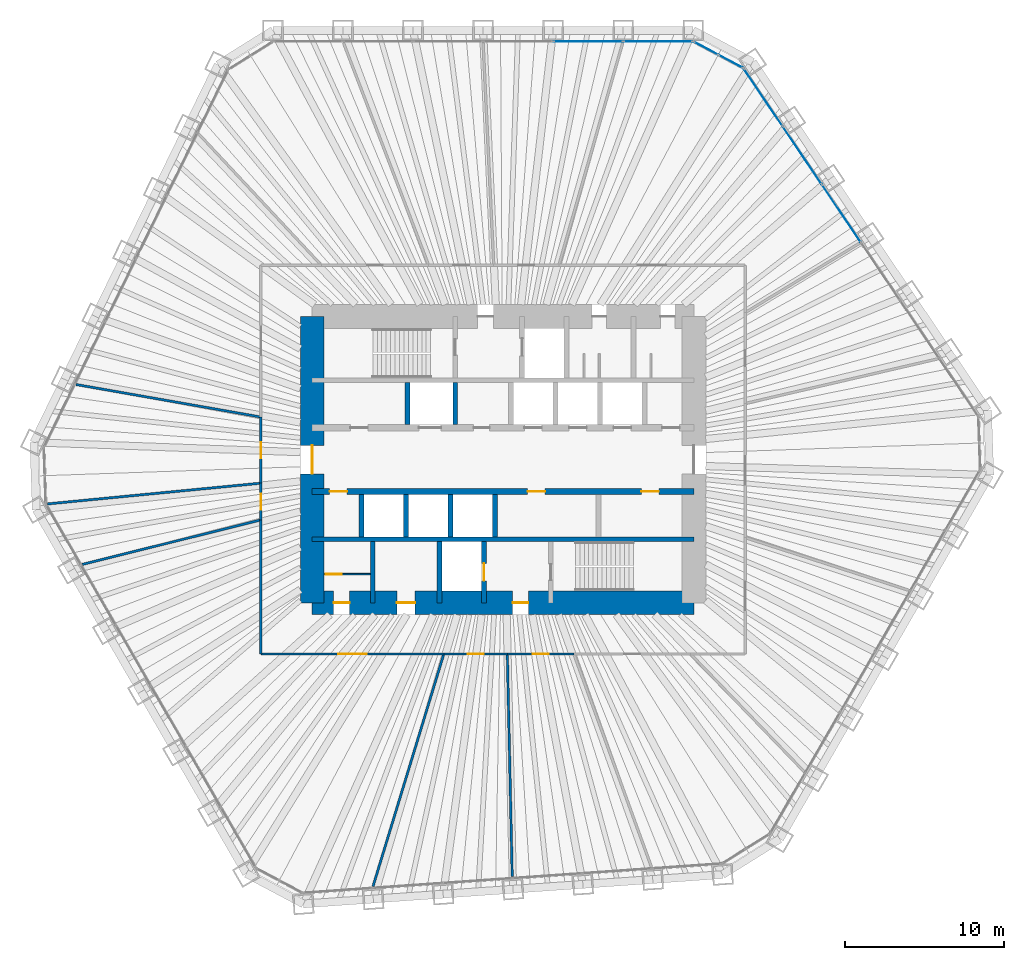
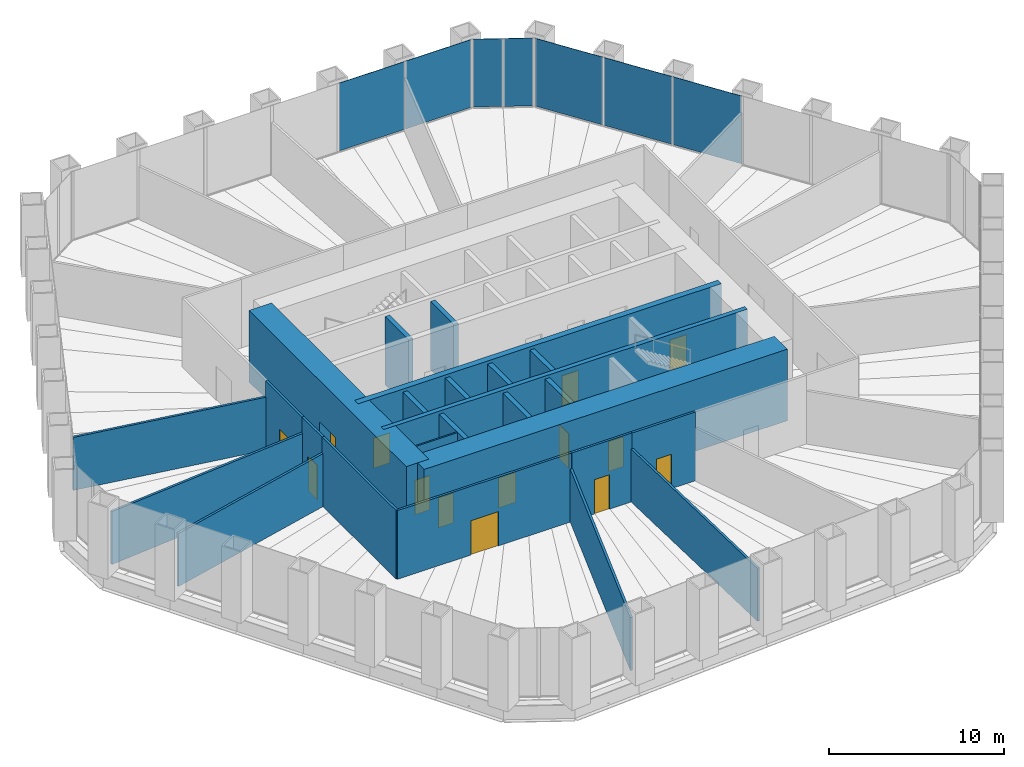
# One storey, part 10 of 13: 25 walls, 14 doors, 7 plates, 14 openings, 3 elements without a shape of their own.
"""IFC4 building model written with IfcOpenShell, lengths in metres."""

from ifc_helpers import new_model, si_unit, direction, frame, frame_2d, origin, origin_2d, place, context, subcontext, project, spatial, rectangle, extrude, material, layer, layer_set, type_object, element, fill, aggregate, save


model = new_model("IFC4")

# Units and contexts
model_context = context("Model", 3, precision=1e-05, world=origin(), true_north=direction((0.0, 1.0)))
body_context = subcontext(model_context, "Body", "Model", "MODEL_VIEW")
ifc_project = project(units=[si_unit("LENGTHUNIT", "METRE"), si_unit("AREAUNIT", "SQUARE_METRE"), si_unit("VOLUMEUNIT", "CUBIC_METRE"), si_unit("PLANEANGLEUNIT", "RADIAN"), si_unit("MASSUNIT", "GRAM", prefix="KILO")], contexts=[model_context])

# Site, building, storey
site_placement = place(None, origin())
site = spatial("IfcSite", under=ifc_project, at=site_placement, CompositionType="ELEMENT")
building_placement = place(site_placement, origin())
building = spatial("IfcBuilding", under=site, at=building_placement, Name="Qingtian Harvest Tower", CompositionType="ELEMENT")
storey_placement = place(building_placement, frame((0.0, 0.0, 32.0)))
storey = spatial("IfcBuildingStorey", under=building, at=storey_placement, Name="L06", CompositionType="ELEMENT", Elevation=32.0)

# Curtain wall, plates
ifc_material_1 = material(Name="Bronze-anodised aluminium curtain wall", Category="aluminium")
curtain_wall_type = type_object("IfcCurtainWallType", Name="Curtain wall CW2 farm reception", PredefinedType="USERDEFINED", material=ifc_material_1)
curtain_wall_1_placement = place(storey_placement, origin())
curtain_wall_1 = element("IfcCurtainWall", 1, at=curtain_wall_1_placement, inside=storey, type_object=curtain_wall_type, Name="Curtain wall CW2 L06 N0-5", ObjectType="RECESSED CURTAIN WALL", PredefinedType="USERDEFINED")
ifc_material_2 = material(Name="Bronze-tinted laminated insulating glass", Category="glass")
ifc_layer_1 = layer(ifc_material_2, 0.030029296875)
ifc_layer_set_1 = layer_set([ifc_layer_1], Name="Glazed panel CWP tinted IGU")
plate_type = type_object("IfcPlateType", Name="Glazed panel CWP tinted IGU", PredefinedType="CURTAIN_PANEL", material=ifc_layer_set_1)
plate_1_placement = place(storey_placement, frame((5.349365234375, 26.300048828125, 0.06494140625), z_axis=(0.0, 0.0, 1.0), x_axis=(1.0, 0.0, 0.0)))
plate_1 = element("IfcPlate", 2, at=plate_1_placement, type_object=plate_type, Name="CW2 panel 5.1", PredefinedType="CURTAIN_PANEL", context=body_context, shape_type="SweptSolid", body=[
    extrude(rectangle(XDim=4.339599609375, YDim=0.030029296875, at=origin_2d()), origin(), (0.0, 0.0, 1.0), 4.735107421875),
])
plate_2_placement = place(storey_placement, frame((9.737548828125, 26.300048828125, 0.06494140625), z_axis=(0.0, 0.0, 1.0), x_axis=(1.0, 0.0, 0.0)))
plate_2 = element("IfcPlate", 3, at=plate_2_placement, type_object=plate_type, Name="CW2 panel 6.1", PredefinedType="CURTAIN_PANEL", context=body_context, shape_type="SweptSolid", body=[
    extrude(rectangle(XDim=4.30712890625, YDim=0.030029296875, at=origin_2d()), origin(), (0.0, 0.0, 1.0), 4.735107421875),
])
aggregate(curtain_wall_1, [plate_1, plate_2])

curtain_wall_2_placement = place(storey_placement, origin())
curtain_wall_2 = element("IfcCurtainWall", 4, at=curtain_wall_2_placement, inside=storey, type_object=curtain_wall_type, Name="Curtain wall CW2 L06 NC", ObjectType="RECESSED CURTAIN WALL", PredefinedType="USERDEFINED")
plate_3_placement = place(storey_placement, frame((12.760986328125, 25.8720703125, 0.06494140625), z_axis=(0.0, 0.0, 1.0), x_axis=(0.882947592859, -0.469471562786, 0.0)))
plate_3 = element("IfcPlate", 5, at=plate_3_placement, type_object=plate_type, Name="CW2 panel 1.1", PredefinedType="CURTAIN_PANEL", context=body_context, shape_type="SweptSolid", body=[
    extrude(rectangle(XDim=1.69287109375, YDim=0.030029296875, at=origin_2d()), origin(), (0.0, 0.0, 1.0), 4.735107421875),
])
plate_4_placement = place(storey_placement, frame((14.31298828125, 25.046875, 0.06494140625), z_axis=(0.0, 0.0, 1.0), x_axis=(0.882947592859, -0.469471562786, 0.0)))
plate_4 = element("IfcPlate", 6, at=plate_4_placement, type_object=plate_type, Name="CW2 panel 2.1", PredefinedType="CURTAIN_PANEL", context=body_context, shape_type="SweptSolid", body=[
    extrude(rectangle(XDim=1.69287109375, YDim=0.030029296875, at=origin_2d()), origin(), (0.0, 0.0, 1.0), 4.735107421875),
])
aggregate(curtain_wall_2, [plate_3, plate_4])

curtain_wall_3_placement = place(storey_placement, origin())
curtain_wall_3 = element("IfcCurtainWall", 7, at=curtain_wall_3_placement, inside=storey, type_object=curtain_wall_type, Name="Curtain wall CW2 L06 NE0-5", ObjectType="RECESSED CURTAIN WALL", PredefinedType="USERDEFINED")
plate_5_placement = place(storey_placement, frame((16.3583984375, 22.779541015625, 0.06494140625), z_axis=(0.0, 0.0, 1.0), x_axis=(0.559192903471, -0.829037572555, 0.0)))
plate_5 = element("IfcPlate", 8, at=plate_5_placement, type_object=plate_type, Name="CW2 panel 1.1", PredefinedType="CURTAIN_PANEL", context=body_context, shape_type="SweptSolid", body=[
    extrude(rectangle(XDim=4.30712890625, YDim=0.030029296875, at=origin_2d()), origin(), (0.0, 0.0, 1.0), 4.735107421875),
])
plate_6_placement = place(storey_placement, frame((18.8125, 19.1416015625, 0.06494140625), z_axis=(0.0, 0.0, 1.0), x_axis=(0.559192903471, -0.829037572555, 0.0)))
plate_6 = element("IfcPlate", 9, at=plate_6_placement, type_object=plate_type, Name="CW2 panel 2.1", PredefinedType="CURTAIN_PANEL", context=body_context, shape_type="SweptSolid", body=[
    extrude(rectangle(XDim=4.339599609375, YDim=0.030029296875, at=origin_2d()), origin(), (0.0, 0.0, 1.0), 4.735107421875),
])
plate_7_placement = place(storey_placement, frame((21.275390625, 15.489990234375, 0.06494140625), z_axis=(0.0, 0.0, 1.0), x_axis=(0.559192903471, -0.829037572555, 0.0)))
plate_7 = element("IfcPlate", 10, at=plate_7_placement, type_object=plate_type, Name="CW2 panel 3.1", PredefinedType="CURTAIN_PANEL", context=body_context, shape_type="SweptSolid", body=[
    extrude(rectangle(XDim=4.339599609375, YDim=0.030029296875, at=origin_2d()), origin(), (0.0, 0.0, 1.0), 4.735107421875),
])
aggregate(curtain_wall_3, [plate_5, plate_6, plate_7])

# Wall
ifc_material_3 = material(Name="Concrete fc' 70 MPa", Category="concrete")
ifc_layer_2 = layer(ifc_material_3, 0.300048828125)
ifc_layer_set_2 = layer_set([ifc_layer_2], Name="Core inner wall RC5 300")
wall_type_1 = type_object("IfcWallType", Name="Core inner wall RC5 300", PredefinedType="SHEAR", material=ifc_layer_set_2)
wall_1_placement = place(storey_placement, frame((-12.0, -5.0, 0.0), z_axis=(0.0, 0.0, 1.0), x_axis=(1.0, 0.0, 0.0)))
element("IfcWall", 11, at=wall_1_placement, inside=storey, type_object=wall_type_1, Name="Core wall IS5 L06", PredefinedType="SHEAR", context=body_context, shape_type="SweptSolid", body=[
    extrude(rectangle(XDim=24.0, YDim=0.300048828125, at=frame_2d((12.0, 0.0))), origin(), (0.0, 0.0, 1.0), 5.0),
])

# Wall, openings, doors
ifc_material_4 = material(Name="Concrete fc' 70 MPa", Category="concrete")
ifc_layer_3 = layer(ifc_material_4, 0.39990234375)
ifc_layer_set_3 = layer_set([ifc_layer_3], Name="Core inner web RC6 400")
wall_type_2 = type_object("IfcWallType", Name="Core inner web RC6 400", PredefinedType="SHEAR", material=ifc_layer_set_3)
wall_2_placement = place(storey_placement, frame((-12.0, -2.0, 0.0), z_axis=(0.0, 0.0, 1.0), x_axis=(1.0, 0.0, 0.0)))
wall_2 = element("IfcWall", 12, at=wall_2_placement, inside=storey, type_object=wall_type_2, Name="Core wall IS2 L06", PredefinedType="SHEAR", context=body_context, shape_type="SweptSolid", body=[
    extrude(rectangle(XDim=24.0, YDim=0.39990234375, at=frame_2d((12.0, 0.0))), origin(), (0.0, 0.0, 1.0), 5.0),
])
opening_1_placement = place(wall_2_placement, frame((1.10009765625, 0.0, 0.0)))
opening_1 = element("IfcOpeningElement", 13, at=opening_1_placement, cuts=wall_2, Name="Opening FD4", PredefinedType="OPENING", context=body_context, shape_type="SweptSolid", body=[
    extrude(rectangle(XDim=1.10009765625, YDim=2.10009765625, at=frame_2d((0.550048828125, 1.050048828125))), frame((0.0, 0.2099609375, 0.0), z_axis=(0.0, -1.0, 0.0), x_axis=(1.0, 0.0, 0.0)), (0.0, 0.0, 1.0), 0.419921875),
])
opening_2_placement = place(wall_2_placement, frame((13.550048828125, 0.0, 0.0)))
opening_2 = element("IfcOpeningElement", 14, at=opening_2_placement, cuts=wall_2, Name="Opening FD4", PredefinedType="OPENING", context=body_context, shape_type="SweptSolid", body=[
    extrude(rectangle(XDim=1.10009765625, YDim=2.10009765625, at=frame_2d((0.550048828125, 1.050048828125))), frame((0.0, 0.2099609375, 0.0), z_axis=(0.0, -1.0, 0.0), x_axis=(1.0, 0.0, 0.0)), (0.0, 0.0, 1.0), 0.419921875),
])
opening_3_placement = place(wall_2_placement, frame((20.699951171875, 0.0, 0.0)))
opening_3 = element("IfcOpeningElement", 15, at=opening_3_placement, cuts=wall_2, Name="Opening FD4", PredefinedType="OPENING", context=body_context, shape_type="SweptSolid", body=[
    extrude(rectangle(XDim=1.10009765625, YDim=2.10009765625, at=frame_2d((0.550048828125, 1.050048828125))), frame((0.0, 0.2099609375, 0.0), z_axis=(0.0, -1.0, 0.0), x_axis=(1.0, 0.0, 0.0)), (0.0, 0.0, 1.0), 0.419921875),
])
ifc_material_5 = material(Name="Steel-faced door leaf", Category="steel")
door_type_1 = type_object("IfcDoorType", Name="Fire door FD4 single 2 HR", OperationType="SINGLE_SWING_LEFT", PredefinedType="DOOR", material=ifc_material_5)
door_1_placement = place(opening_1_placement, origin())
door_1 = element("IfcDoor", 16, at=door_1_placement, inside=storey, type_object=door_type_1, Name="RB door L06", OperationType="SINGLE_SWING_RIGHT", OverallHeight=2.10009765625, OverallWidth=1.10009765625, PredefinedType="DOOR", context=body_context, shape_type="SweptSolid", body=[
    extrude(rectangle(XDim=1.10009765625, YDim=2.10009765625, at=frame_2d((0.550048828125, 1.050048828125))), frame((0.0, 0.02490234375, 0.0), z_axis=(0.0, -1.0, 0.0), x_axis=(1.0, 0.0, 0.0)), (0.0, 0.0, 1.0), 0.050048828125),
])
fill(opening_1, door_1)
door_2_placement = place(opening_2_placement, origin())
door_2 = element("IfcDoor", 17, at=door_2_placement, inside=storey, type_object=door_type_1, Name="ELEC door L06", OperationType="SINGLE_SWING_LEFT", OverallHeight=2.10009765625, OverallWidth=1.10009765625, PredefinedType="DOOR", context=body_context, shape_type="SweptSolid", body=[
    extrude(rectangle(XDim=1.10009765625, YDim=2.10009765625, at=frame_2d((0.550048828125, 1.050048828125))), frame((0.0, 0.02490234375, 0.0), z_axis=(0.0, -1.0, 0.0), x_axis=(1.0, 0.0, 0.0)), (0.0, 0.0, 1.0), 0.050048828125),
])
fill(opening_2, door_2)
door_3_placement = place(opening_3_placement, origin())
door_3 = element("IfcDoor", 18, at=door_3_placement, inside=storey, type_object=door_type_1, Name="DUCT door L06", OperationType="SINGLE_SWING_RIGHT", OverallHeight=2.10009765625, OverallWidth=1.10009765625, PredefinedType="DOOR", context=body_context, shape_type="SweptSolid", body=[
    extrude(rectangle(XDim=1.10009765625, YDim=2.10009765625, at=frame_2d((0.550048828125, 1.050048828125))), frame((0.0, 0.02490234375, 0.0), z_axis=(0.0, -1.0, 0.0), x_axis=(1.0, 0.0, 0.0)), (0.0, 0.0, 1.0), 0.050048828125),
])
fill(opening_3, door_3)

# Walls
ifc_material_6 = material(Name="Precast concrete shaft panel", Category="concrete")
ifc_layer_4 = layer(ifc_material_6, 0.300048828125)
ifc_layer_set_4 = layer_set([ifc_layer_4], Name="Core shaft partition SW1 300")
wall_type_3 = type_object("IfcWallType", Name="Core shaft partition SW1 300", PredefinedType="PARTITIONING", material=ifc_layer_set_4)
for number, where, z_axis, x_axis, name in (
    (19, (-6.0, 2.199951171875, 0.0), (0.0, 0.0, 1.0), (0.0, 1.0, 0.0), "Core shaft partition XA1 L06"),
    (20, (-3.0, 2.199951171875, 0.0), (0.0, 0.0, 1.0), (0.0, 1.0, 0.0), "Core shaft partition XA2 L06"),
    (21, (-8.89990234375, -4.85009765625, 0.0), (0.0, 0.0, 1.0), (0.0, 1.0, 0.0), "Core shaft partition XB1 L06"),
    (22, (-6.10009765625, -4.85009765625, 0.0), (0.0, 0.0, 1.0), (0.0, 1.0, 0.0), "Core shaft partition XB2 L06"),
    (23, (-3.300048828125, -4.85009765625, 0.0), (0.0, 0.0, 1.0), (0.0, 1.0, 0.0), "Core shaft partition XB3 L06"),
    (24, (-0.5, -4.85009765625, 0.0), (0.0, 0.0, 1.0), (0.0, 1.0, 0.0), "Core shaft partition XB4 L06"),
):
    element("IfcWall", number, at=place(storey_placement, frame(where, z_axis=z_axis, x_axis=x_axis)), inside=storey, type_object=wall_type_3, Name=name, PredefinedType="PARTITIONING", context=body_context, shape_type="SweptSolid", body=[
        extrude(rectangle(XDim=2.650146484375, YDim=0.300048828125, at=frame_2d((1.3251953125, 0.0))), origin(), (0.0, 0.0, 1.0), 4.780029296875),
    ])
for number, where, z_axis, x_axis, name in (
    (25, (-8.199951171875, -9.0, 0.0), (0.0, 0.0, 1.0), (0.0, 1.0, 0.0), "Core shaft partition XS1 L06"),
    (26, (-4.0, -9.0, 0.0), (0.0, 0.0, 1.0), (0.0, 1.0, 0.0), "Core shaft partition XS2 L06"),
):
    element("IfcWall", number, at=place(storey_placement, frame(where, z_axis=z_axis, x_axis=x_axis)), inside=storey, type_object=wall_type_3, Name=name, PredefinedType="PARTITIONING", context=body_context, shape_type="SweptSolid", body=[
        extrude(rectangle(XDim=3.85009765625, YDim=0.300048828125, at=frame_2d((1.925048828125, 0.0))), origin(), (0.0, 0.0, 1.0), 4.780029296875),
    ])

# Wall, opening, door
wall_3_placement = place(storey_placement, frame((-1.199951171875, -9.0, 0.0), z_axis=(0.0, 0.0, 1.0), x_axis=(0.0, 1.0, 0.0)))
wall_3 = element("IfcWall", 27, at=wall_3_placement, inside=storey, type_object=wall_type_3, Name="Core shaft partition XS3 L06", PredefinedType="PARTITIONING", context=body_context, shape_type="SweptSolid", body=[
    extrude(rectangle(XDim=3.85009765625, YDim=0.300048828125, at=frame_2d((1.925048828125, 0.0))), origin(), (0.0, 0.0, 1.0), 4.780029296875),
])
opening_4_placement = place(wall_3_placement, frame((1.375, 0.0, 0.0)))
opening_4 = element("IfcOpeningElement", 28, at=opening_4_placement, cuts=wall_3, Name="Opening LD1", PredefinedType="OPENING", context=body_context, shape_type="SweptSolid", body=[
    extrude(rectangle(XDim=1.10009765625, YDim=2.39990234375, at=frame_2d((0.550048828125, 1.199951171875))), frame((0.0, 0.159912109375, 0.0), z_axis=(0.0, -1.0, 0.0), x_axis=(1.0, 0.0, 0.0)), (0.0, 0.0, 1.0), 0.320068359375),
])
ifc_material_7 = material(Name="Stainless steel lift landing door", Category="steel")
door_type_2 = type_object("IfcDoorType", Name="Lift landing door LD1 1 HR", OperationType="DOUBLE_DOOR_SLIDING", PredefinedType="DOOR", material=ifc_material_7)
door_4_placement = place(opening_4_placement, origin())
door_4 = element("IfcDoor", 29, at=door_4_placement, inside=storey, type_object=door_type_2, Name="FL2 landing door L06", OperationType="DOUBLE_DOOR_SLIDING", OverallHeight=2.39990234375, OverallWidth=1.10009765625, PredefinedType="DOOR", context=body_context, shape_type="SweptSolid", body=[
    extrude(rectangle(XDim=1.10009765625, YDim=2.39990234375, at=frame_2d((0.550048828125, 1.199951171875))), frame((0.0, 0.02490234375, 0.0), z_axis=(0.0, -1.0, 0.0), x_axis=(1.0, 0.0, 0.0)), (0.0, 0.0, 1.0), 0.050048828125),
])
fill(opening_4, door_4)

# Wall, openings, doors
ifc_material_8 = material(Name="Concrete fc' 70 MPa", Category="concrete")
ifc_layer_5 = layer(ifc_material_8, 1.5)
ifc_layer_set_5 = layer_set([ifc_layer_5], Name="Core wall RC1 1500")
wall_type_4 = type_object("IfcWallType", Name="Core wall RC1 1500", PredefinedType="SHEAR", material=ifc_layer_set_5)
wall_4_placement = place(storey_placement, frame((-12.0, -9.0, 0.0), z_axis=(0.0, 0.0, 1.0), x_axis=(1.0, 0.0, 0.0)))
wall_4 = element("IfcWall", 30, at=wall_4_placement, inside=storey, type_object=wall_type_4, Name="Core wall CS L06", PredefinedType="SHEAR", context=body_context, shape_type="SweptSolid", body=[
    extrude(rectangle(XDim=24.0, YDim=1.5, at=frame_2d((12.0, 0.0))), origin(), (0.0, 0.0, 1.0), 5.0),
])
opening_5_placement = place(wall_4_placement, frame((1.35009765625, 0.0, 0.0)))
opening_5 = element("IfcOpeningElement", 31, at=opening_5_placement, cuts=wall_4, Name="Opening FD1", PredefinedType="OPENING", context=body_context, shape_type="SweptSolid", body=[
    extrude(rectangle(XDim=1.0, YDim=2.10009765625, at=frame_2d((0.5, 1.050048828125))), frame((0.0, 0.760009765625, 0.0), z_axis=(0.0, -1.0, 0.0), x_axis=(1.0, 0.0, 0.0)), (0.0, 0.0, 1.0), 1.52001953125),
])
opening_6_placement = place(wall_4_placement, frame((5.324951171875, 0.0, 0.0)))
opening_6 = element("IfcOpeningElement", 32, at=opening_6_placement, cuts=wall_4, Name="Opening AD1", PredefinedType="OPENING", context=body_context, shape_type="SweptSolid", body=[
    extrude(rectangle(XDim=1.14990234375, YDim=2.10009765625, at=frame_2d((0.574951171875, 1.050048828125))), frame((0.0, 0.760009765625, 0.0), z_axis=(0.0, -1.0, 0.0), x_axis=(1.0, 0.0, 0.0)), (0.0, 0.0, 1.0), 1.52001953125),
])
opening_7_placement = place(wall_4_placement, frame((12.60009765625, 0.0, 0.0)))
opening_7 = element("IfcOpeningElement", 33, at=opening_7_placement, cuts=wall_4, Name="Opening FD1", PredefinedType="OPENING", context=body_context, shape_type="SweptSolid", body=[
    extrude(rectangle(XDim=1.0, YDim=2.10009765625, at=frame_2d((0.5, 1.050048828125))), frame((0.0, 0.760009765625, 0.0), z_axis=(0.0, -1.0, 0.0), x_axis=(1.0, 0.0, 0.0)), (0.0, 0.0, 1.0), 1.52001953125),
])
ifc_material_9 = material(Name="Laminated timber door leaf", Category="wood")
door_type_3 = type_object("IfcDoorType", Name="Accessible WC door AD1 single", OperationType="SINGLE_SWING_LEFT", PredefinedType="DOOR", material=ifc_material_9)
door_5_placement = place(opening_6_placement, origin())
door_5 = element("IfcDoor", 34, at=door_5_placement, inside=storey, type_object=door_type_3, Name="AWC door L06", OperationType="SINGLE_SWING_RIGHT", OverallHeight=2.10009765625, OverallWidth=1.14990234375, PredefinedType="DOOR", context=body_context, shape_type="SweptSolid", body=[
    extrude(rectangle(XDim=1.14990234375, YDim=2.10009765625, at=frame_2d((0.574951171875, 1.050048828125))), frame((0.0, 0.02490234375, 0.0), z_axis=(0.0, -1.0, 0.0), x_axis=(1.0, 0.0, 0.0)), (0.0, 0.0, 1.0), 0.050048828125),
])
fill(opening_6, door_5)
ifc_material_10 = material(Name="Steel-faced door leaf", Category="steel")
door_type_4 = type_object("IfcDoorType", Name="Fire door FD1 single 1 HR", OperationType="SINGLE_SWING_LEFT", PredefinedType="DOOR", material=ifc_material_10)
door_6_placement = place(opening_5_placement, origin())
door_6 = element("IfcDoor", 35, at=door_6_placement, inside=storey, type_object=door_type_4, Name="CLN door L06", OperationType="SINGLE_SWING_LEFT", OverallHeight=2.10009765625, OverallWidth=1.0, PredefinedType="DOOR", context=body_context, shape_type="SweptSolid", body=[
    extrude(rectangle(XDim=1.0, YDim=2.10009765625, at=frame_2d((0.5, 1.050048828125))), frame((0.0, 0.02490234375, 0.0), z_axis=(0.0, -1.0, 0.0), x_axis=(1.0, 0.0, 0.0)), (0.0, 0.0, 1.0), 0.050048828125),
])
fill(opening_5, door_6)
door_7_placement = place(opening_7_placement, origin())
door_7 = element("IfcDoor", 36, at=door_7_placement, inside=storey, type_object=door_type_4, Name="V2 door L06", OperationType="SINGLE_SWING_LEFT", OverallHeight=2.10009765625, OverallWidth=1.0, PredefinedType="DOOR", context=body_context, shape_type="SweptSolid", body=[
    extrude(rectangle(XDim=1.0, YDim=2.10009765625, at=frame_2d((0.5, 1.050048828125))), frame((0.0, 0.02490234375, 0.0), z_axis=(0.0, -1.0, 0.0), x_axis=(1.0, 0.0, 0.0)), (0.0, 0.0, 1.0), 0.050048828125),
])
fill(opening_7, door_7)

# Wall, opening, door
wall_5_placement = place(storey_placement, frame((-12.0, -9.0, 0.0), z_axis=(0.0, 0.0, 1.0), x_axis=(0.0, 1.0, 0.0)))
wall_5 = element("IfcWall", 37, at=wall_5_placement, inside=storey, type_object=wall_type_4, Name="Core wall CW L06", PredefinedType="SHEAR", context=body_context, shape_type="SweptSolid", body=[
    extrude(rectangle(XDim=18.0, YDim=1.5, at=frame_2d((9.0, 0.0))), origin(), (0.0, 0.0, 1.0), 5.0),
])
opening_8_placement = place(wall_5_placement, frame((8.10009765625, 0.0, 0.0)))
opening_8 = element("IfcOpeningElement", 38, at=opening_8_placement, cuts=wall_5, Name="Opening FD2", PredefinedType="OPENING", context=body_context, shape_type="SweptSolid", body=[
    extrude(rectangle(XDim=1.800048828125, YDim=2.10009765625, at=frame_2d((0.89990234375, 1.050048828125))), frame((0.0, 0.760009765625, 0.0), z_axis=(0.0, -1.0, 0.0), x_axis=(1.0, 0.0, 0.0)), (0.0, 0.0, 1.0), 1.52001953125),
])
ifc_material_11 = material(Name="Steel-faced door leaf", Category="steel")
door_type_5 = type_object("IfcDoorType", Name="Fire door FD2 double 1 HR", OperationType="DOUBLE_DOOR_DOUBLE_SWING", PredefinedType="DOOR", material=ifc_material_11)
door_8_placement = place(opening_8_placement, origin())
door_8 = element("IfcDoor", 39, at=door_8_placement, inside=storey, type_object=door_type_5, Name="LOBBY-W door L06", OperationType="DOUBLE_DOOR_DOUBLE_SWING", OverallHeight=2.10009765625, OverallWidth=1.800048828125, PredefinedType="DOOR", context=body_context, shape_type="SweptSolid", body=[
    extrude(rectangle(XDim=1.800048828125, YDim=2.10009765625, at=frame_2d((0.89990234375, 1.050048828125))), frame((0.0, 0.02490234375, 0.0), z_axis=(0.0, -1.0, 0.0), x_axis=(1.0, 0.0, 0.0)), (0.0, 0.0, 1.0), 0.050048828125),
])
fill(opening_8, door_8)

ifc_material_12 = material(Name="Gypsum board on steel studs", Category="steel")
ifc_layer_6 = layer(ifc_material_12, 0.14990234375)
ifc_layer_set_6 = layer_set([ifc_layer_6], Name="Partition PT1 150")
wall_type_5 = type_object("IfcWallType", Name="Partition PT1 150", PredefinedType="PARTITIONING", material=ifc_layer_set_6)
wall_6_placement = place(storey_placement, frame((4.45458984375, -12.22509765625, 0.0), z_axis=(0.0, 0.0, 1.0), x_axis=(-1.0, 0.0, 0.0)))
wall_6 = element("IfcWall", 40, at=wall_6_placement, inside=storey, type_object=wall_type_5, Name="Propagation room wall L06", PredefinedType="PARTITIONING", context=body_context, shape_type="SweptSolid", body=[
    extrude(rectangle(XDim=4.185302734375, YDim=0.14990234375, at=frame_2d((2.0927734375, 0.0))), origin(), (0.0, 0.0, 1.0), 4.800048828125),
])
opening_9_placement = place(wall_6_placement, frame((1.592529296875, 0.0, 0.0)))
opening_9 = element("IfcOpeningElement", 41, at=opening_9_placement, cuts=wall_6, Name="Opening D2", PredefinedType="OPENING", context=body_context, shape_type="SweptSolid", body=[
    extrude(rectangle(XDim=1.0, YDim=2.39990234375, at=frame_2d((0.5, 1.199951171875))), frame((0.0, 0.0849609375, 0.0), z_axis=(0.0, -1.0, 0.0), x_axis=(1.0, 0.0, 0.0)), (0.0, 0.0, 1.0), 0.169921875),
])
ifc_material_13 = material(Name="Laminated timber door leaf", Category="wood")
door_type_6 = type_object("IfcDoorType", Name="Room door D2 single", OperationType="SINGLE_SWING_LEFT", PredefinedType="DOOR", material=ifc_material_13)
door_9_placement = place(opening_9_placement, origin())
door_9 = element("IfcDoor", 42, at=door_9_placement, inside=storey, type_object=door_type_6, Name="Propagation room door L06", OperationType="SINGLE_SWING_LEFT", OverallHeight=2.39990234375, OverallWidth=1.0, PredefinedType="DOOR", context=body_context, shape_type="SweptSolid", body=[
    extrude(rectangle(XDim=1.0, YDim=2.39990234375, at=frame_2d((0.5, 1.199951171875))), frame((0.0, 0.02490234375, 0.0), z_axis=(0.0, -1.0, 0.0), x_axis=(1.0, 0.0, 0.0)), (0.0, 0.0, 1.0), 0.050048828125),
])
fill(opening_9, door_9)

# Wall
wall_7_placement = place(storey_placement, frame((0.577880859375, -26.2236328125, 0.0), z_axis=(0.0, 0.0, 1.0), x_axis=(-0.022039362711, 0.999757103746, 0.0)))
element("IfcWall", 43, at=wall_7_placement, inside=storey, type_object=wall_type_5, Name="Grafting room wall L06", PredefinedType="PARTITIONING", context=body_context, shape_type="SweptSolid", body=[
    extrude(rectangle(XDim=14.001953125, YDim=0.14990234375, at=frame_2d((7.0009765625, 0.0))), origin(), (0.0, 0.0, 1.0), 3.699951171875),
])

# Wall, opening, door
wall_8_placement = place(storey_placement, frame((0.269287109375, -12.22509765625, 0.0), z_axis=(0.0, 0.0, 1.0), x_axis=(-1.0, 0.0, 0.0)))
wall_8 = element("IfcWall", 44, at=wall_8_placement, inside=storey, type_object=wall_type_5, Name="Grafting room wall L06", PredefinedType="PARTITIONING", context=body_context, shape_type="SweptSolid", body=[
    extrude(rectangle(XDim=3.994140625, YDim=0.14990234375, at=frame_2d((1.9970703125, 0.0))), origin(), (0.0, 0.0, 1.0), 4.800048828125),
])
opening_10_placement = place(wall_8_placement, frame((1.4970703125, 0.0, 0.0)))
opening_10 = element("IfcOpeningElement", 45, at=opening_10_placement, cuts=wall_8, Name="Opening D2", PredefinedType="OPENING", context=body_context, shape_type="SweptSolid", body=[
    extrude(rectangle(XDim=1.0, YDim=2.39990234375, at=frame_2d((0.5, 1.199951171875))), frame((0.0, 0.0849609375, 0.0), z_axis=(0.0, -1.0, 0.0), x_axis=(1.0, 0.0, 0.0)), (0.0, 0.0, 1.0), 0.169921875),
])
door_10_placement = place(opening_10_placement, origin())
door_10 = element("IfcDoor", 46, at=door_10_placement, inside=storey, type_object=door_type_6, Name="Grafting room door L06", OperationType="SINGLE_SWING_LEFT", OverallHeight=2.39990234375, OverallWidth=1.0, PredefinedType="DOOR", context=body_context, shape_type="SweptSolid", body=[
    extrude(rectangle(XDim=1.0, YDim=2.39990234375, at=frame_2d((0.5, 1.199951171875))), frame((0.0, 0.02490234375, 0.0), z_axis=(0.0, -1.0, 0.0), x_axis=(1.0, 0.0, 0.0)), (0.0, 0.0, 1.0), 0.050048828125),
])
fill(opening_10, door_10)

# Wall
wall_9_placement = place(storey_placement, frame((-8.1787109375, -26.842529296875, 0.0), z_axis=(0.0, 0.0, 1.0), x_axis=(0.291465492753, 0.956581343397, 0.0)))
element("IfcWall", 47, at=wall_9_placement, inside=storey, type_object=wall_type_5, Name="Transplanting room wall L06", PredefinedType="PARTITIONING", context=body_context, shape_type="SweptSolid", body=[
    extrude(rectangle(XDim=15.281005859375, YDim=0.14990234375, at=frame_2d((7.640625, 0.0))), origin(), (0.0, 0.0, 1.0), 3.699951171875),
])

# Wall, opening, door
wall_10_placement = place(storey_placement, frame((-3.724853515625, -12.22509765625, 0.0), z_axis=(0.0, 0.0, 1.0), x_axis=(-1.0, 0.0, 0.0)))
wall_10 = element("IfcWall", 48, at=wall_10_placement, inside=storey, type_object=wall_type_5, Name="Transplanting room wall L06", PredefinedType="PARTITIONING", context=body_context, shape_type="SweptSolid", body=[
    extrude(rectangle(XDim=11.500244140625, YDim=0.14990234375, at=frame_2d((5.75, 0.0))), origin(), (0.0, 0.0, 1.0), 4.800048828125),
])
opening_11_placement = place(wall_10_placement, frame((4.85009765625, 0.0, 0.0)))
opening_11 = element("IfcOpeningElement", 49, at=opening_11_placement, cuts=wall_10, Name="Opening D3", PredefinedType="OPENING", context=body_context, shape_type="SweptSolid", body=[
    extrude(rectangle(XDim=1.800048828125, YDim=2.39990234375, at=frame_2d((0.89990234375, 1.199951171875))), frame((0.0, 0.0849609375, 0.0), z_axis=(0.0, -1.0, 0.0), x_axis=(1.0, 0.0, 0.0)), (0.0, 0.0, 1.0), 0.169921875),
])
ifc_material_14 = material(Name="Laminated timber door leaf", Category="wood")
door_type_7 = type_object("IfcDoorType", Name="Room door D3 double", OperationType="DOUBLE_DOOR_DOUBLE_SWING", PredefinedType="DOOR", material=ifc_material_14)
door_11_placement = place(opening_11_placement, origin())
door_11 = element("IfcDoor", 50, at=door_11_placement, inside=storey, type_object=door_type_7, Name="Transplanting room door L06", OperationType="DOUBLE_DOOR_DOUBLE_SWING", OverallHeight=2.39990234375, OverallWidth=1.800048828125, PredefinedType="DOOR", context=body_context, shape_type="SweptSolid", body=[
    extrude(rectangle(XDim=1.800048828125, YDim=2.39990234375, at=frame_2d((0.89990234375, 1.199951171875))), frame((0.0, 0.02490234375, 0.0), z_axis=(0.0, -1.0, 0.0), x_axis=(1.0, 0.0, 0.0)), (0.0, 0.0, 1.0), 0.050048828125),
])
fill(opening_11, door_11)

# Walls
wall_11_placement = place(storey_placement, frame((-15.22509765625, -12.22509765625, 0.0), z_axis=(0.0, 0.0, 1.0), x_axis=(0.0, 1.0, 0.0)))
element("IfcWall", 51, at=wall_11_placement, inside=storey, type_object=wall_type_5, Name="Transplanting room wall L06", PredefinedType="PARTITIONING", context=body_context, shape_type="SweptSolid", body=[
    extrude(rectangle(XDim=8.434814453125, YDim=0.14990234375, at=frame_2d((4.21728515625, 0.0))), origin(), (0.0, 0.0, 1.0), 4.800048828125),
])
wall_12_placement = place(storey_placement, frame((-26.455322265625, -6.5859375, 0.0), z_axis=(0.0, 0.0, 1.0), x_axis=(0.970383998101, 0.241567581083, 0.0)))
element("IfcWall", 52, at=wall_12_placement, inside=storey, type_object=wall_type_5, Name="Gowning room wall L06", PredefinedType="PARTITIONING", context=body_context, shape_type="SweptSolid", body=[
    extrude(rectangle(XDim=11.572998046875, YDim=0.14990234375, at=frame_2d((5.78662109375, 0.0))), origin(), (0.0, 0.0, 1.0), 3.699951171875),
])

# Wall, opening, door
wall_13_placement = place(storey_placement, frame((-15.22509765625, -3.790283203125, 0.0), z_axis=(0.0, 0.0, 1.0), x_axis=(0.0, 1.0, 0.0)))
wall_13 = element("IfcWall", 53, at=wall_13_placement, inside=storey, type_object=wall_type_5, Name="Gowning room wall L06", PredefinedType="PARTITIONING", context=body_context, shape_type="SweptSolid", body=[
    extrude(rectangle(XDim=2.31005859375, YDim=0.14990234375, at=frame_2d((1.155029296875, 0.0))), origin(), (0.0, 0.0, 1.0), 4.800048828125),
])
opening_12_placement = place(wall_13_placement, frame((0.655029296875, 0.0, 0.0)))
opening_12 = element("IfcOpeningElement", 54, at=opening_12_placement, cuts=wall_13, Name="Opening D2", PredefinedType="OPENING", context=body_context, shape_type="SweptSolid", body=[
    extrude(rectangle(XDim=1.0, YDim=2.39990234375, at=frame_2d((0.5, 1.199951171875))), frame((0.0, 0.0849609375, 0.0), z_axis=(0.0, -1.0, 0.0), x_axis=(1.0, 0.0, 0.0)), (0.0, 0.0, 1.0), 0.169921875),
])
door_12_placement = place(opening_12_placement, origin())
door_12 = element("IfcDoor", 55, at=door_12_placement, inside=storey, type_object=door_type_6, Name="Gowning room door L06", OperationType="SINGLE_SWING_LEFT", OverallHeight=2.39990234375, OverallWidth=1.0, PredefinedType="DOOR", context=body_context, shape_type="SweptSolid", body=[
    extrude(rectangle(XDim=1.0, YDim=2.39990234375, at=frame_2d((0.5, 1.199951171875))), frame((0.0, 0.02490234375, 0.0), z_axis=(0.0, -1.0, 0.0), x_axis=(1.0, 0.0, 0.0)), (0.0, 0.0, 1.0), 0.050048828125),
])
fill(opening_12, door_12)

# Wall
wall_14_placement = place(storey_placement, frame((-28.655029296875, -2.785888671875, 0.0), z_axis=(0.0, 0.0, 1.0), x_axis=(0.995307331187, 0.096764231438, 0.0)))
element("IfcWall", 56, at=wall_14_placement, inside=storey, type_object=wall_type_5, Name="Nutrient dosing room wall L06", PredefinedType="PARTITIONING", context=body_context, shape_type="SweptSolid", body=[
    extrude(rectangle(XDim=13.4931640625, YDim=0.14990234375, at=frame_2d((6.74658203125, 0.0))), origin(), (0.0, 0.0, 1.0), 3.699951171875),
])

# Wall, opening, door
wall_15_placement = place(storey_placement, frame((-15.22509765625, -1.480224609375, 0.0), z_axis=(0.0, 0.0, 1.0), x_axis=(0.0, 1.0, 0.0)))
wall_15 = element("IfcWall", 57, at=wall_15_placement, inside=storey, type_object=wall_type_5, Name="Nutrient dosing room wall L06", PredefinedType="PARTITIONING", context=body_context, shape_type="SweptSolid", body=[
    extrude(rectangle(XDim=4.1591796875, YDim=0.14990234375, at=frame_2d((2.07958984375, 0.0))), origin(), (0.0, 0.0, 1.0), 4.800048828125),
])
opening_13_placement = place(wall_15_placement, frame((1.57958984375, 0.0, 0.0)))
opening_13 = element("IfcOpeningElement", 58, at=opening_13_placement, cuts=wall_15, Name="Opening D2", PredefinedType="OPENING", context=body_context, shape_type="SweptSolid", body=[
    extrude(rectangle(XDim=1.0, YDim=2.39990234375, at=frame_2d((0.5, 1.199951171875))), frame((0.0, 0.0849609375, 0.0), z_axis=(0.0, -1.0, 0.0), x_axis=(1.0, 0.0, 0.0)), (0.0, 0.0, 1.0), 0.169921875),
])
door_13_placement = place(opening_13_placement, origin())
door_13 = element("IfcDoor", 59, at=door_13_placement, inside=storey, type_object=door_type_6, Name="Nutrient dosing room door L06", OperationType="SINGLE_SWING_LEFT", OverallHeight=2.39990234375, OverallWidth=1.0, PredefinedType="DOOR", context=body_context, shape_type="SweptSolid", body=[
    extrude(rectangle(XDim=1.0, YDim=2.39990234375, at=frame_2d((0.5, 1.199951171875))), frame((0.0, 0.02490234375, 0.0), z_axis=(0.0, -1.0, 0.0), x_axis=(1.0, 0.0, 0.0)), (0.0, 0.0, 1.0), 0.050048828125),
])
fill(opening_13, door_13)

# Wall
wall_16_placement = place(storey_placement, frame((-26.85009765625, 4.724609375, 0.0), z_axis=(0.0, 0.0, 1.0), x_axis=(0.984867773441, -0.173307440223, 0.0)))
element("IfcWall", 60, at=wall_16_placement, inside=storey, type_object=wall_type_5, Name="Propagation room wall L06", PredefinedType="PARTITIONING", context=body_context, shape_type="SweptSolid", body=[
    extrude(rectangle(XDim=11.8037109375, YDim=0.14990234375, at=frame_2d((5.90185546875, 0.0))), origin(), (0.0, 0.0, 1.0), 3.699951171875),
])

# Wall, opening, door
ifc_material_15 = material(Name="Concrete block partition", Category="concrete")
ifc_layer_7 = layer(ifc_material_15, 0.10009765625)
ifc_layer_set_7 = layer_set([ifc_layer_7], Name="Store partition PT3 100")
wall_type_6 = type_object("IfcWallType", Name="Store partition PT3 100", PredefinedType="PARTITIONING", material=ifc_layer_set_7)
wall_17_placement = place(storey_placement, frame((-11.25, -7.199951171875, 0.0), z_axis=(0.0, 0.0, 1.0), x_axis=(1.0, 0.0, 0.0)))
wall_17 = element("IfcWall", 61, at=wall_17_placement, inside=storey, type_object=wall_type_6, Name="Chemical store wall L06", PredefinedType="PARTITIONING", context=body_context, shape_type="SweptSolid", body=[
    extrude(rectangle(XDim=2.89990234375, YDim=0.10009765625, at=frame_2d((1.449951171875, 0.0))), origin(), (0.0, 0.0, 1.0), 4.780029296875),
])
opening_14_placement = place(wall_17_placement, frame((0.10009765625, 0.0, 0.0)))
opening_14 = element("IfcOpeningElement", 62, at=opening_14_placement, cuts=wall_17, Name="Opening D2", PredefinedType="OPENING", context=body_context, shape_type="SweptSolid", body=[
    extrude(rectangle(XDim=1.0, YDim=2.39990234375, at=frame_2d((0.5, 1.199951171875))), frame((0.0, 0.06005859375, 0.0), z_axis=(0.0, -1.0, 0.0), x_axis=(1.0, 0.0, 0.0)), (0.0, 0.0, 1.0), 0.1201171875),
])
door_14_placement = place(opening_14_placement, origin())
door_14 = element("IfcDoor", 63, at=door_14_placement, inside=storey, type_object=door_type_6, Name="Chemical store door L06", OperationType="SINGLE_SWING_LEFT", OverallHeight=2.39990234375, OverallWidth=1.0, PredefinedType="DOOR", context=body_context, shape_type="SweptSolid", body=[
    extrude(rectangle(XDim=1.0, YDim=2.39990234375, at=frame_2d((0.5, 1.199951171875))), frame((0.0, 0.02490234375, 0.0), z_axis=(0.0, -1.0, 0.0), x_axis=(1.0, 0.0, 0.0)), (0.0, 0.0, 1.0), 0.050048828125),
])
fill(opening_14, door_14)

save(model, "model.ifc")
